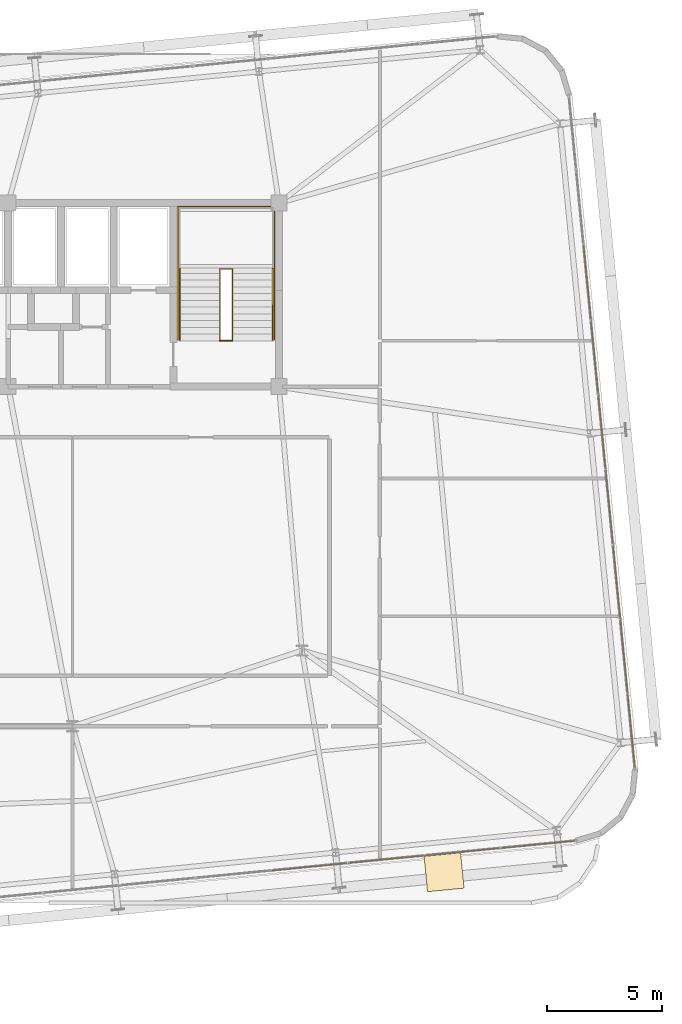
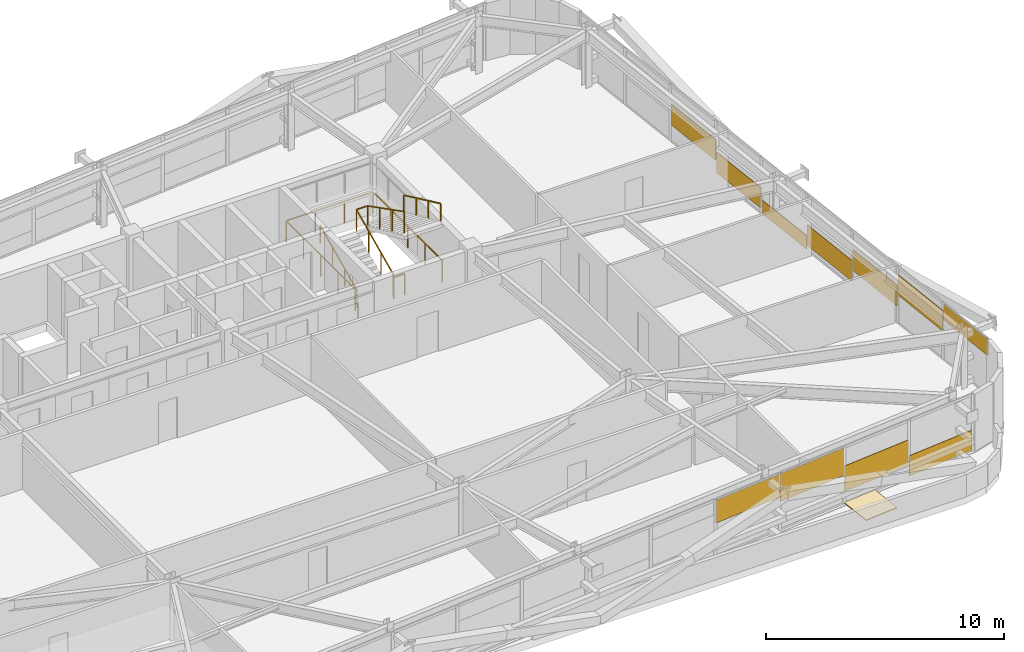
# One storey, part 50 of 51: 12 coverings, 5 railings.
"""IFC4 building model written with IfcOpenShell, lengths in metres."""

from ifc_helpers import new_model, si_unit, direction, frame, origin, origin_2d, place, context, subcontext, project, spatial, rectangle, extrude, source, transform, mapped, material, layer, layer_set, type_object, element, save


model = new_model("IFC4")

# Units and contexts
model_context = context("Model", 3, precision=1e-05, world=origin(), true_north=direction((0.0, 1.0)))
body_context = subcontext(model_context, "Body", "Model", "MODEL_VIEW")
ifc_project = project(units=[si_unit("LENGTHUNIT", "METRE"), si_unit("AREAUNIT", "SQUARE_METRE"), si_unit("VOLUMEUNIT", "CUBIC_METRE"), si_unit("PLANEANGLEUNIT", "RADIAN"), si_unit("MASSUNIT", "GRAM", prefix="KILO")], contexts=[model_context])

# Site, building, storey
site_placement = place(None, origin())
site = spatial("IfcSite", under=ifc_project, at=site_placement, CompositionType="ELEMENT")
building_placement = place(site_placement, origin())
building = spatial("IfcBuilding", under=site, at=building_placement, Name="Taldren Reach Tower", CompositionType="ELEMENT")
storey_placement = place(building_placement, frame((0.0, 0.0, 65.10009765625)))
storey = spatial("IfcBuildingStorey", under=building, at=storey_placement, Name="L19", CompositionType="ELEMENT", Elevation=65.10009765625)

# Railings
ifc_material_1 = material(Name="Steel Gr 350 (C350L0)", Category="steel")
ifc_layer_1 = layer(ifc_material_1, 0.050048828125)
ifc_layer_set_1 = layer_set([ifc_layer_1], Name="Steel Gr 350 (C350L0)")
railing_type_1 = type_object("IfcRailingType", Name="RL-STAIR-GR", PredefinedType="GUARDRAIL", material=ifc_layer_set_1)
railing_1_placement = place(storey_placement, frame((48.429931640625, 26.050048828125, 0.131103515625)))
element("IfcRailing", 1, at=railing_1_placement, inside=storey, type_object=railing_type_1, Name="Stairwell inner guard ST2-L19", PredefinedType="GUARDRAIL", context=body_context, shape_type="SweptSolid", body=[
    extrude(rectangle(XDim=0.047852, YDim=0.047852, at=origin_2d()), frame((0.0, 0.0, 1.09619140625), z_axis=(0.0, 0.905710134349, 0.423897573167), x_axis=(-1.0, 0.0, 0.0)), (0.0, 0.0, 1.0), 3.406005859375),
    extrude(rectangle(XDim=0.047852, YDim=0.047852, at=origin_2d()), frame((0.0, 3.0849609375, 2.5400390625), z_axis=(1.0, 0.0, 0.0), x_axis=(0.0, 1.0, 0.0)), (0.0, 0.0, 1.0), 0.5400390625),
    extrude(rectangle(XDim=0.047852, YDim=0.047852, at=origin_2d()), frame((0.5400390625, 3.0849609375, 2.5400390625), z_axis=(0.0, -0.890645957773, 0.45469745755), x_axis=(1.0, 0.0, 0.0)), (0.0, 0.0, 1.0), 3.463623046875),
    extrude(rectangle(XDim=0.041992, YDim=0.041992, at=origin_2d()), origin(), (0.0, 0.0, 1.0), 1.072021484375),
    extrude(rectangle(XDim=0.041992, YDim=0.041992, at=origin_2d()), frame((0.0, 1.0283203125, 0.481201171875)), (0.0, 0.0, 1.0), 1.072021484375),
    extrude(rectangle(XDim=0.041992, YDim=0.041992, at=origin_2d()), frame((0.0, 2.056640625, 0.962646484375)), (0.0, 0.0, 1.0), 1.072021484375),
    extrude(rectangle(XDim=0.041992, YDim=0.041992, at=origin_2d()), frame((0.0, 3.0849609375, 1.44384765625)), (0.0, 0.0, 1.0), 1.072021484375),
    extrude(rectangle(XDim=0.041992, YDim=0.041992, at=origin_2d()), frame((0.5400390625, 3.0849609375, 1.44384765625)), (0.0, 0.0, 1.0), 1.072021484375),
    extrude(rectangle(XDim=0.041992, YDim=0.041992, at=origin_2d()), frame((0.5400390625, 2.056640625, 1.96875)), (0.0, 0.0, 1.0), 1.072021484375),
    extrude(rectangle(XDim=0.041992, YDim=0.041992, at=origin_2d()), frame((0.5400390625, 1.0283203125, 2.493896484375)), (0.0, 0.0, 1.0), 1.072021484375),
    extrude(rectangle(XDim=0.041992, YDim=0.041992, at=origin_2d()), frame((0.5400390625, 0.0, 3.018798828125)), (0.0, 0.0, 1.0), 1.072021484375),
])
railing_2_placement = place(storey_placement, frame((48.429931640625, 26.010009765625, 0.0)))
element("IfcRailing", 2, at=railing_2_placement, inside=storey, type_object=railing_type_1, Name="Stairwell landing slot guard ST2-L19", PredefinedType="GUARDRAIL", context=body_context, shape_type="SweptSolid", body=[
    extrude(rectangle(XDim=0.047852, YDim=0.047852, at=origin_2d()), frame((0.0, 0.0, 1.09619140625), z_axis=(1.0, 0.0, 0.0), x_axis=(0.0, 1.0, 0.0)), (0.0, 0.0, 1.0), 0.5400390625),
    extrude(rectangle(XDim=0.041992, YDim=0.041992, at=origin_2d()), origin(), (0.0, 0.0, 1.0), 1.072021484375),
    extrude(rectangle(XDim=0.041992, YDim=0.041992, at=origin_2d()), frame((0.5400390625, 0.0, 0.0)), (0.0, 0.0, 1.0), 1.072021484375),
])
railing_3_placement = place(storey_placement, frame((46.590087890625, 26.050048828125, 0.0)))
element("IfcRailing", 3, at=railing_3_placement, inside=storey, type_object=railing_type_1, Name="Stairwell floor opening guard ST2-L19", PredefinedType="GUARDRAIL", context=body_context, shape_type="SweptSolid", body=[
    extrude(rectangle(XDim=0.047852, YDim=0.047852, at=origin_2d()), frame((0.0, 0.0, 1.09619140625), z_axis=(0.0, 1.0, 0.0), x_axis=(-1.0, 0.0, 0.0)), (0.0, 0.0, 1.0), 5.800048828125),
    extrude(rectangle(XDim=0.047852, YDim=0.047852, at=origin_2d()), frame((0.0, 5.800048828125, 1.09619140625), z_axis=(1.0, 0.0, 0.0), x_axis=(0.0, 1.0, 0.0)), (0.0, 0.0, 1.0), 4.219970703125),
    extrude(rectangle(XDim=0.047852, YDim=0.047852, at=origin_2d()), frame((4.219970703125, 5.800048828125, 1.09619140625), z_axis=(0.0, -1.0, 0.0), x_axis=(1.0, 0.0, 0.0)), (0.0, 0.0, 1.0), 5.800048828125),
    extrude(rectangle(XDim=0.041992, YDim=0.041992, at=origin_2d()), origin(), (0.0, 0.0, 1.0), 1.072021484375),
    extrude(rectangle(XDim=0.041992, YDim=0.041992, at=origin_2d()), frame((0.0, 1.449951171875, 0.0)), (0.0, 0.0, 1.0), 1.072021484375),
    extrude(rectangle(XDim=0.041992, YDim=0.041992, at=origin_2d()), frame((0.0, 2.89990234375, 0.0)), (0.0, 0.0, 1.0), 1.072021484375),
    extrude(rectangle(XDim=0.041992, YDim=0.041992, at=origin_2d()), frame((0.0, 4.35009765625, 0.0)), (0.0, 0.0, 1.0), 1.072021484375),
    extrude(rectangle(XDim=0.041992, YDim=0.041992, at=origin_2d()), frame((0.0, 5.800048828125, 0.0)), (0.0, 0.0, 1.0), 1.072021484375),
    extrude(rectangle(XDim=0.041992, YDim=0.041992, at=origin_2d()), frame((1.40673828125, 5.800048828125, 0.0)), (0.0, 0.0, 1.0), 1.072021484375),
    extrude(rectangle(XDim=0.041992, YDim=0.041992, at=origin_2d()), frame((2.813232421875, 5.800048828125, 0.0)), (0.0, 0.0, 1.0), 1.072021484375),
    extrude(rectangle(XDim=0.041992, YDim=0.041992, at=origin_2d()), frame((4.219970703125, 5.800048828125, 0.0)), (0.0, 0.0, 1.0), 1.072021484375),
    extrude(rectangle(XDim=0.041992, YDim=0.041992, at=origin_2d()), frame((4.219970703125, 4.35009765625, 0.0)), (0.0, 0.0, 1.0), 1.072021484375),
    extrude(rectangle(XDim=0.041992, YDim=0.041992, at=origin_2d()), frame((4.219970703125, 2.89990234375, 0.0)), (0.0, 0.0, 1.0), 1.072021484375),
    extrude(rectangle(XDim=0.041992, YDim=0.041992, at=origin_2d()), frame((4.219970703125, 1.449951171875, 0.0)), (0.0, 0.0, 1.0), 1.072021484375),
    extrude(rectangle(XDim=0.041992, YDim=0.041992, at=origin_2d()), frame((4.219970703125, 0.0, 0.0)), (0.0, 0.0, 1.0), 1.072021484375),
])
ifc_material_2 = material(Name="Stainless Steel Gr 316", Category="steel")
ifc_layer_2 = layer(ifc_material_2, 0.048095703125)
ifc_layer_set_2 = layer_set([ifc_layer_2], Name="Stainless Steel Gr 316")
railing_type_2 = type_object("IfcRailingType", Name="RL-STAIR-HR", PredefinedType="HANDRAIL", material=ifc_layer_set_2)
railing_4_placement = place(storey_placement, frame((46.669921875, 26.050048828125, 0.131103515625)))
element("IfcRailing", 4, at=railing_4_placement, inside=storey, type_object=railing_type_2, Name="Stair flight handrail ST2-L19-1", PredefinedType="HANDRAIL", context=body_context, shape_type="SweptSolid", body=[
    extrude(rectangle(XDim=0.047852, YDim=0.047852, at=origin_2d()), frame((0.0, 0.0, 0.89599609375), z_axis=(0.0, 0.905710134349, 0.423897573167), x_axis=(-1.0, 0.0, 0.0)), (0.0, 0.0, 1.0), 3.406005859375),
    extrude(rectangle(XDim=0.041992, YDim=0.041992, at=origin_2d()), origin(), (0.0, 0.0, 1.0), 0.871826171875),
    extrude(rectangle(XDim=0.041992, YDim=0.041992, at=origin_2d()), frame((0.0, 1.0283203125, 0.481201171875)), (0.0, 0.0, 1.0), 0.871826171875),
    extrude(rectangle(XDim=0.041992, YDim=0.041992, at=origin_2d()), frame((0.0, 2.056640625, 0.962646484375)), (0.0, 0.0, 1.0), 0.871826171875),
    extrude(rectangle(XDim=0.041992, YDim=0.041992, at=origin_2d()), frame((0.0, 3.0849609375, 1.44384765625)), (0.0, 0.0, 1.0), 0.871826171875),
])
railing_5_placement = place(storey_placement, frame((50.72998046875, 29.135009765625, 1.7060546875)))
element("IfcRailing", 5, at=railing_5_placement, inside=storey, type_object=railing_type_2, Name="Stair flight handrail ST2-L19-2", PredefinedType="HANDRAIL", context=body_context, shape_type="SweptSolid", body=[
    extrude(rectangle(XDim=0.047852, YDim=0.047852, at=origin_2d()), frame((0.0, 0.0, 0.89599609375), z_axis=(0.0, -0.905710134349, 0.423897573167), x_axis=(1.0, 0.0, 0.0)), (0.0, 0.0, 1.0), 3.406005859375),
    extrude(rectangle(XDim=0.041992, YDim=0.041992, at=origin_2d()), origin(), (0.0, 0.0, 1.0), 0.871826171875),
    extrude(rectangle(XDim=0.041992, YDim=0.041992, at=origin_2d()), frame((0.0, -1.0283203125, 0.481201171875)), (0.0, 0.0, 1.0), 0.871826171875),
    extrude(rectangle(XDim=0.041992, YDim=0.041992, at=origin_2d()), frame((0.0, -2.056640625, 0.962646484375)), (0.0, 0.0, 1.0), 0.871826171875),
    extrude(rectangle(XDim=0.041992, YDim=0.041992, at=origin_2d()), frame((0.0, -3.0849609375, 1.44384765625)), (0.0, 0.0, 1.0), 0.871826171875),
])

# Coverings
ifc_material_3 = material(Name="SBS Modified Bitumen Waterproofing and Ballast Membrane")
ifc_layer_3 = layer(ifc_material_3, 0.080078125)
ifc_layer_set_3 = layer_set([ifc_layer_3], Name="SBS Modified Bitumen Waterproofing and Ballast Membrane")
covering_type_1 = type_object("IfcCoveringType", Name="CV-ROOF-080", PredefinedType="ROOFING", material=ifc_layer_set_3)
shared_shape_1 = source(origin(), body_context, "Body", "SweptSolid", [
    extrude(rectangle(XDim=1.60009765625, YDim=1.60009765625, at=origin_2d()), origin(), (0.0, 0.0, 1.0), 0.0400390625),
])
covering_1_placement = place(storey_placement, frame((58.193359375, 2.865234375, 0.0), z_axis=(0.0, 0.0, 1.0), x_axis=(0.995227399982, 0.097582899759, 0.0)))
element("IfcCovering", 6, at=covering_1_placement, inside=storey, type_object=covering_type_1, Name="Terrace waterproofing layer L19-2", PredefinedType="ROOFING", context=body_context, shape_type="MappedRepresentation", body=[
    mapped(shared_shape_1, transform((0.0, 0.0, 0.0), scale=1.0)),
])
ifc_material_4 = material(Name="Pale Champagne Fluoropolymer Aluminium Spandrel Cladding", Category="aluminium")
ifc_layer_4 = layer(ifc_material_4, 0.0439453125)
ifc_layer_set_4 = layer_set([ifc_layer_4], Name="Pale Champagne Fluoropolymer Aluminium Spandrel Cladding")
covering_type_2 = type_object("IfcCoveringType", Name="CV-CLAD-044", PredefinedType="CLADDING", material=ifc_layer_set_4)
shared_shape_2 = source(origin(), body_context, "Body", "SweptSolid", [
    extrude(rectangle(XDim=3.268310546875, YDim=0.0439453125, at=origin_2d()), origin(), (0.0, 0.0, 1.0), 1.3046875),
])
covering_2_placement = place(storey_placement, frame((58.972900390625, 3.7255859375, 0.621826171875), z_axis=(0.0, 0.0, 1.0), x_axis=(0.995227390247, 0.097582999046, 0.0)))
element("IfcCovering", 7, at=covering_2_placement, inside=storey, type_object=covering_type_2, Name="Diagrid closure cladding strip CW-3 panel 14.1 1", PredefinedType="CLADDING", context=body_context, shape_type="MappedRepresentation", body=[
    mapped(shared_shape_2, transform((0.0, 0.0, 0.0), scale=1.0)),
])
shared_shape_3 = source(origin(), body_context, "Body", "SweptSolid", [
    extrude(rectangle(XDim=3.268310546875, YDim=0.0439453125, at=origin_2d()), origin(), (0.0, 0.0, 1.0), 1.17529296875),
])
covering_3_placement = place(storey_placement, frame((52.338134765625, 3.0751953125, 1.69970703125), z_axis=(0.0, 0.0, 1.0), x_axis=(0.995227390247, 0.097582999046, 0.0)))
element("IfcCovering", 8, at=covering_3_placement, inside=storey, type_object=covering_type_2, Name="Diagrid closure cladding strip CW-3 panel 12.1 1", PredefinedType="CLADDING", context=body_context, shape_type="MappedRepresentation", body=[
    mapped(shared_shape_3, transform((0.0, 0.0, 0.0), scale=1.0)),
])
shared_shape_4 = source(origin(), body_context, "Body", "SweptSolid", [
    extrude(rectangle(XDim=3.268310546875, YDim=0.0439453125, at=origin_2d()), origin(), (0.0, 0.0, 1.0), 1.416259765625),
])
covering_4_placement = place(storey_placement, frame((55.655517578125, 3.400390625, 1.45849609375), z_axis=(0.0, 0.0, 1.0), x_axis=(0.995227390247, 0.097582999046, 0.0)))
element("IfcCovering", 9, at=covering_4_placement, inside=storey, type_object=covering_type_2, Name="Diagrid closure cladding strip CW-3 panel 13.1 1", PredefinedType="CLADDING", context=body_context, shape_type="MappedRepresentation", body=[
    mapped(shared_shape_4, transform((0.0, 0.0, 0.0), scale=1.0)),
])
shared_shape_5 = source(origin(), body_context, "Body", "SweptSolid", [
    extrude(rectangle(XDim=3.23583984375, YDim=0.0439453125, at=origin_2d()), origin(), (0.0, 0.0, 1.0), 1.034912109375),
])
covering_5_placement = place(storey_placement, frame((62.274169921875, 4.04931640625, 0.0546875), z_axis=(0.0, 0.0, 1.0), x_axis=(0.995227390247, 0.097582999046, 0.0)))
element("IfcCovering", 10, at=covering_5_placement, inside=storey, type_object=covering_type_2, Name="Diagrid closure cladding strip CW-3 panel 15.1 1", PredefinedType="CLADDING", context=body_context, shape_type="MappedRepresentation", body=[
    mapped(shared_shape_5, transform((0.0, 0.0, 0.0), scale=1.0)),
])
shared_shape_6 = source(origin(), body_context, "Body", "SweptSolid", [
    extrude(rectangle(XDim=3.18017578125, YDim=0.0439453125, at=origin_2d()), origin(), (0.0, 0.0, 1.0), 0.83056640625),
])
covering_6_placement = place(storey_placement, frame((66.35498046875, 8.986328125, 2.04443359375), z_axis=(0.0, 0.0, 1.0), x_axis=(-0.09758274098, 0.99522741555, 0.0)))
element("IfcCovering", 11, at=covering_6_placement, inside=storey, type_object=covering_type_2, Name="Diagrid closure cladding strip CW-3 panel 1.1 1", PredefinedType="CLADDING", context=body_context, shape_type="MappedRepresentation", body=[
    mapped(shared_shape_6, transform((0.0, 0.0, 0.0), scale=1.0)),
])
shared_shape_7 = source(origin(), body_context, "Body", "SweptSolid", [
    extrude(rectangle(XDim=3.212890625, YDim=0.0439453125, at=origin_2d()), origin(), (0.0, 0.0, 1.0), 1.053466796875),
])
for number, where, z_axis, x_axis, name in (
    (12, (66.03662109375, 12.232177734375, 1.45654296875), (0.0, 0.0, 1.0), (-0.09758274098, 0.99522741555, 0.0), "Diagrid closure cladding strip CW-3 panel 2.1 1"),
    (13, (65.716796875, 15.494384765625, 0.86865234375), (0.0, 0.0, 1.0), (-0.09758274098, 0.99522741555, 0.0), "Diagrid closure cladding strip CW-3 panel 3.1 1"),
    (14, (65.39697265625, 18.756591796875, 0.28076171875), (0.0, 0.0, 1.0), (-0.09758274098, 0.99522741555, 0.0), "Diagrid closure cladding strip CW-3 panel 4.1 1"),
    (15, (64.757080078125, 25.28076171875, 0.28076171875), (0.0, 0.0, 1.0), (-0.09758274098, 0.99522741555, 0.0), "Diagrid closure cladding strip CW-3 panel 6.1 1"),
    (16, (64.437255859375, 28.54296875, 0.86865234375), (0.0, 0.0, 1.0), (-0.09758274098, 0.99522741555, 0.0), "Diagrid closure cladding strip CW-3 panel 7.1 1"),
):
    element("IfcCovering", number, at=place(storey_placement, frame(where, z_axis=z_axis, x_axis=x_axis)), inside=storey, type_object=covering_type_2, Name=name, PredefinedType="CLADDING", context=body_context, shape_type="MappedRepresentation", body=[
        mapped(shared_shape_7, transform((0.0, 0.0, 0.0), scale=1.0)),
    ])
shared_shape_8 = source(origin(), body_context, "Body", "SweptSolid", [
    extrude(rectangle(XDim=3.212890625, YDim=0.0439453125, at=origin_2d()), origin(), (0.0, 0.0, 1.0), 0.691650390625),
])
covering_7_placement = place(storey_placement, frame((65.0771484375, 22.0185546875, 0.05517578125), z_axis=(0.0, 0.0, 1.0), x_axis=(-0.09758274098, 0.99522741555, 0.0)))
element("IfcCovering", 17, at=covering_7_placement, inside=storey, type_object=covering_type_2, Name="Diagrid closure cladding strip CW-3 panel 5.1 1", PredefinedType="CLADDING", context=body_context, shape_type="MappedRepresentation", body=[
    mapped(shared_shape_8, transform((0.0, 0.0, 0.0), scale=1.0)),
])

save(model, "model.ifc")
